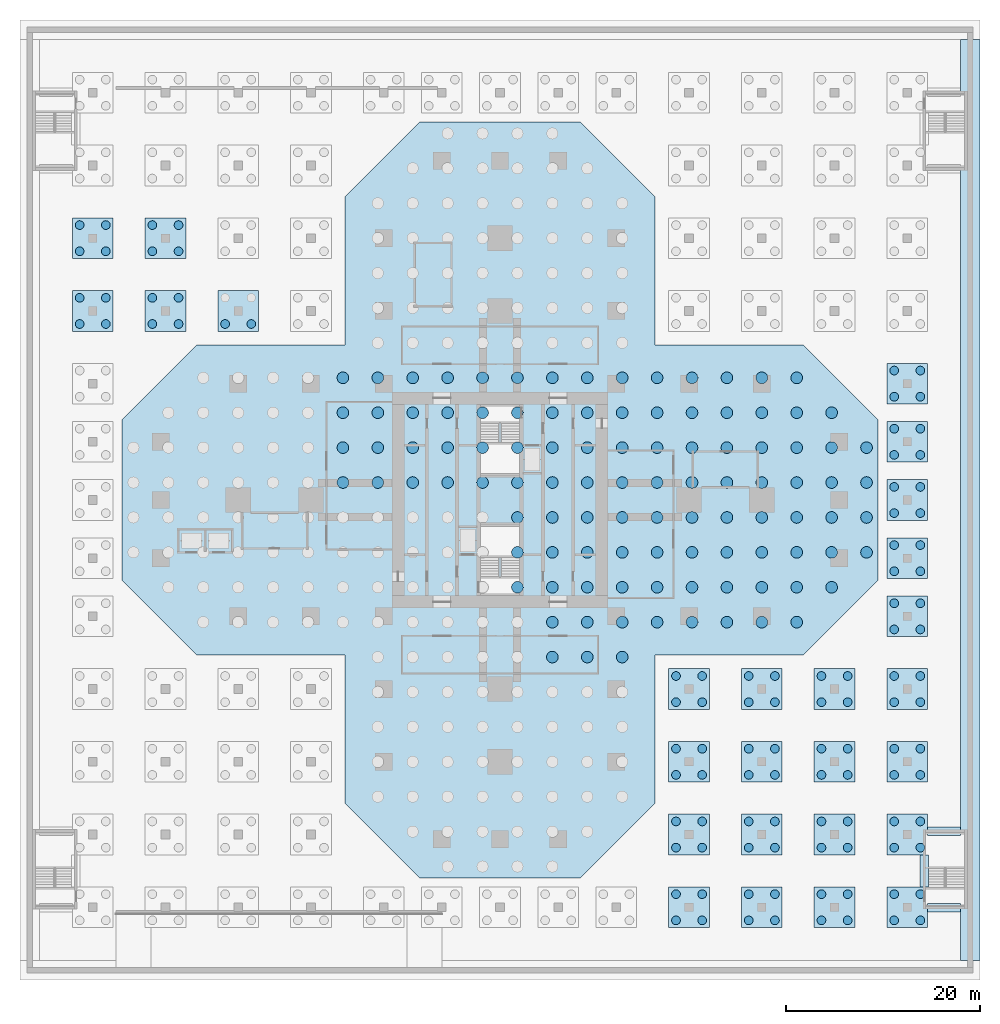
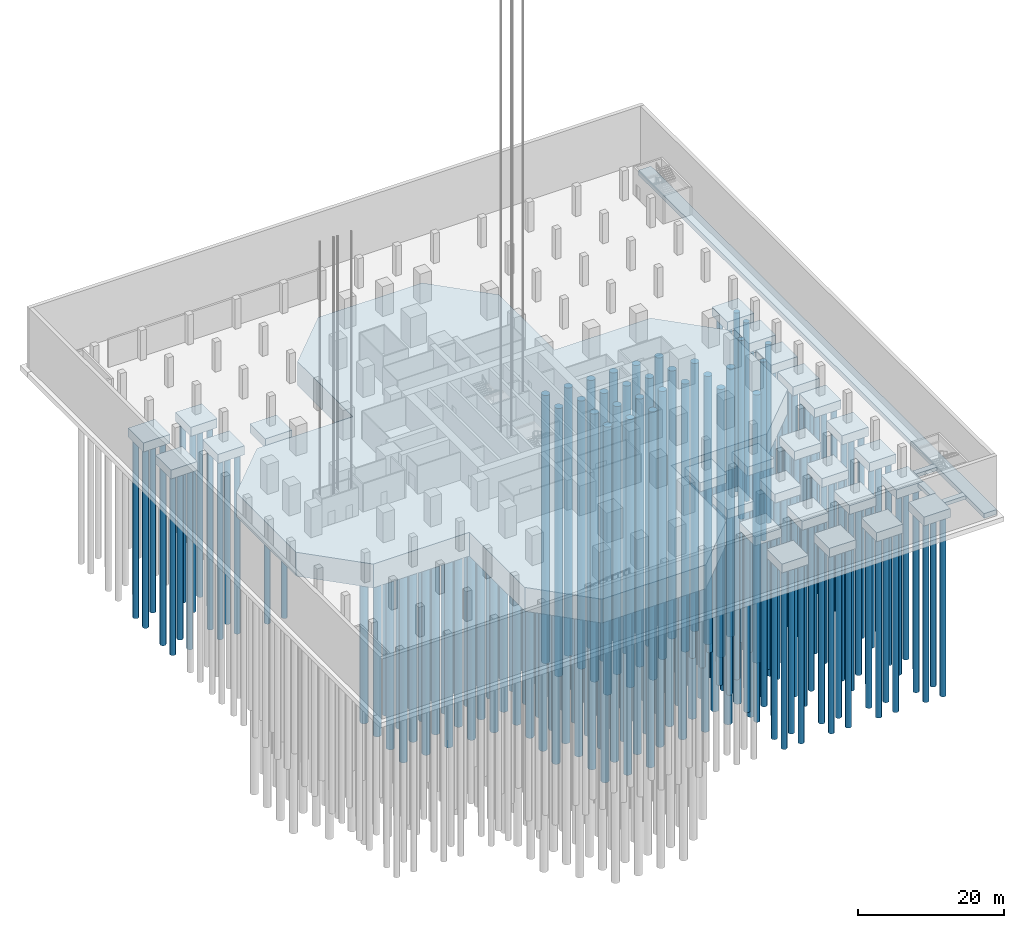
# One storey, part 2 of 31: 206 piles, 31 footings.
"""IFC4 building model written with IfcOpenShell, lengths in metres."""

from ifc_helpers import new_model, si_unit, direction, frame, origin, origin_2d, place, context, subcontext, project, spatial, polyline, rectangle, circle, outline, extrude, material, layer, layer_set, material_profile, profile_set, type_object, element, save


model = new_model("IFC4")

# Units and contexts
model_context = context("Model", 3, precision=1e-05, world=origin(), true_north=direction((0.0, 1.0)))
body_context = subcontext(model_context, "Body", "Model", "MODEL_VIEW")
ifc_project = project(units=[si_unit("LENGTHUNIT", "METRE"), si_unit("AREAUNIT", "SQUARE_METRE"), si_unit("VOLUMEUNIT", "CUBIC_METRE"), si_unit("PLANEANGLEUNIT", "RADIAN"), si_unit("MASSUNIT", "GRAM", prefix="KILO")], contexts=[model_context])

# Site, building, storey
site_placement = place(None, origin())
site = spatial("IfcSite", under=ifc_project, at=site_placement, CompositionType="ELEMENT")
building_placement = place(site_placement, origin())
building = spatial("IfcBuilding", under=site, at=building_placement, Name="Mizan Broadcast Tower", CompositionType="ELEMENT")
storey_placement = place(building_placement, frame((0.0, 0.0, -10.0)))
storey = spatial("IfcBuildingStorey", under=building, at=storey_placement, Name="B2", CompositionType="ELEMENT", Elevation=-10.0)

# Piles
ifc_material_1 = material(Name="Concrete C40/50", Category="concrete")
ifc_material_profile_1 = material_profile(ifc_material_1, circle(Radius=0.60009765625, at=origin_2d()), Name="D1200")
ifc_profile_set_1 = profile_set([ifc_material_profile_1], Name="Concrete C40/50")
pile_type_1 = type_object("IfcPileType", Name="BORED PILE D1200", PredefinedType="BORED", material=ifc_profile_set_1)
for number, where, z_axis, x_axis, name in (
    (1, (5.39990234375, -16.199951171875, -4.5), (0.0, 0.0, -1.0), (1.0, 0.0, 0.0), "Bored pile P1-048"),
    (2, (9.0, -16.199951171875, -4.5), (0.0, 0.0, -1.0), (1.0, 0.0, 0.0), "Bored pile P1-049"),
    (3, (12.60009765625, -16.199951171875, -4.5), (0.0, 0.0, -1.0), (1.0, 0.0, 0.0), "Bored pile P1-050"),
    (4, (5.39990234375, -12.60009765625, -4.5), (0.0, 0.0, -1.0), (1.0, 0.0, 0.0), "Bored pile P1-061"),
    (5, (9.0, -12.60009765625, -4.5), (0.0, 0.0, -1.0), (1.0, 0.0, 0.0), "Bored pile P1-062"),
    (6, (12.60009765625, -12.60009765625, -4.5), (0.0, 0.0, -1.0), (1.0, 0.0, 0.0), "Bored pile P1-063"),
    (7, (16.199951171875, -12.60009765625, -4.5), (0.0, 0.0, -1.0), (1.0, 0.0, 0.0), "Bored pile P1-064"),
    (8, (19.800048828125, -12.60009765625, -4.5), (0.0, 0.0, -1.0), (1.0, 0.0, 0.0), "Bored pile P1-065"),
    (9, (23.39990234375, -12.60009765625, -4.5), (0.0, 0.0, -1.0), (1.0, 0.0, 0.0), "Bored pile P1-066"),
    (10, (27.0, -12.60009765625, -4.5), (0.0, 0.0, -1.0), (1.0, 0.0, 0.0), "Bored pile P1-067"),
    (11, (30.60009765625, -12.60009765625, -4.5), (0.0, 0.0, -1.0), (1.0, 0.0, 0.0), "Bored pile P1-068"),
    (12, (1.800048828125, -9.0, -4.5), (0.0, 0.0, -1.0), (1.0, 0.0, 0.0), "Bored pile P1-079"),
    (13, (5.39990234375, -9.0, -4.5), (0.0, 0.0, -1.0), (1.0, 0.0, 0.0), "Bored pile P1-080"),
    (14, (9.0, -9.0, -4.5), (0.0, 0.0, -1.0), (1.0, 0.0, 0.0), "Bored pile P1-081"),
    (15, (12.60009765625, -9.0, -4.5), (0.0, 0.0, -1.0), (1.0, 0.0, 0.0), "Bored pile P1-082"),
    (16, (16.199951171875, -9.0, -4.5), (0.0, 0.0, -1.0), (1.0, 0.0, 0.0), "Bored pile P1-083"),
    (17, (19.800048828125, -9.0, -4.5), (0.0, 0.0, -1.0), (1.0, 0.0, 0.0), "Bored pile P1-084"),
    (18, (23.39990234375, -9.0, -4.5), (0.0, 0.0, -1.0), (1.0, 0.0, 0.0), "Bored pile P1-085"),
    (19, (27.0, -9.0, -4.5), (0.0, 0.0, -1.0), (1.0, 0.0, 0.0), "Bored pile P1-086"),
    (20, (30.60009765625, -9.0, -4.5), (0.0, 0.0, -1.0), (1.0, 0.0, 0.0), "Bored pile P1-087"),
    (21, (34.199951171875, -9.0, -4.5), (0.0, 0.0, -1.0), (1.0, 0.0, 0.0), "Bored pile P1-088"),
    (22, (1.800048828125, -5.39990234375, -4.5), (0.0, 0.0, -1.0), (1.0, 0.0, 0.0), "Bored pile P1-100"),
    (23, (5.39990234375, -5.39990234375, -4.5), (0.0, 0.0, -1.0), (1.0, 0.0, 0.0), "Bored pile P1-101"),
    (24, (9.0, -5.39990234375, -4.5), (0.0, 0.0, -1.0), (1.0, 0.0, 0.0), "Bored pile P1-102"),
    (25, (12.60009765625, -5.39990234375, -4.5), (0.0, 0.0, -1.0), (1.0, 0.0, 0.0), "Bored pile P1-103"),
    (26, (16.199951171875, -5.39990234375, -4.5), (0.0, 0.0, -1.0), (1.0, 0.0, 0.0), "Bored pile P1-104"),
    (27, (19.800048828125, -5.39990234375, -4.5), (0.0, 0.0, -1.0), (1.0, 0.0, 0.0), "Bored pile P1-105"),
    (28, (23.39990234375, -5.39990234375, -4.5), (0.0, 0.0, -1.0), (1.0, 0.0, 0.0), "Bored pile P1-106"),
    (29, (27.0, -5.39990234375, -4.5), (0.0, 0.0, -1.0), (1.0, 0.0, 0.0), "Bored pile P1-107"),
    (30, (30.60009765625, -5.39990234375, -4.5), (0.0, 0.0, -1.0), (1.0, 0.0, 0.0), "Bored pile P1-108"),
    (31, (34.199951171875, -5.39990234375, -4.5), (0.0, 0.0, -1.0), (1.0, 0.0, 0.0), "Bored pile P1-109"),
    (32, (37.800048828125, -5.39990234375, -4.5), (0.0, 0.0, -1.0), (1.0, 0.0, 0.0), "Bored pile P1-110"),
    (33, (1.800048828125, -1.800048828125, -4.5), (0.0, 0.0, -1.0), (1.0, 0.0, 0.0), "Bored pile P1-122"),
    (34, (5.39990234375, -1.800048828125, -4.5), (0.0, 0.0, -1.0), (1.0, 0.0, 0.0), "Bored pile P1-123"),
    (35, (9.0, -1.800048828125, -4.5), (0.0, 0.0, -1.0), (1.0, 0.0, 0.0), "Bored pile P1-124"),
    (36, (12.60009765625, -1.800048828125, -4.5), (0.0, 0.0, -1.0), (1.0, 0.0, 0.0), "Bored pile P1-125"),
    (37, (16.199951171875, -1.800048828125, -4.5), (0.0, 0.0, -1.0), (1.0, 0.0, 0.0), "Bored pile P1-126"),
    (38, (19.800048828125, -1.800048828125, -4.5), (0.0, 0.0, -1.0), (1.0, 0.0, 0.0), "Bored pile P1-127"),
    (39, (23.39990234375, -1.800048828125, -4.5), (0.0, 0.0, -1.0), (1.0, 0.0, 0.0), "Bored pile P1-128"),
    (40, (27.0, -1.800048828125, -4.5), (0.0, 0.0, -1.0), (1.0, 0.0, 0.0), "Bored pile P1-129"),
    (41, (30.60009765625, -1.800048828125, -4.5), (0.0, 0.0, -1.0), (1.0, 0.0, 0.0), "Bored pile P1-130"),
    (42, (34.199951171875, -1.800048828125, -4.5), (0.0, 0.0, -1.0), (1.0, 0.0, 0.0), "Bored pile P1-131"),
    (43, (37.800048828125, -1.800048828125, -4.5), (0.0, 0.0, -1.0), (1.0, 0.0, 0.0), "Bored pile P1-132"),
    (44, (-16.199951171875, 1.800048828125, -4.5), (0.0, 0.0, -1.0), (1.0, 0.0, 0.0), "Bored pile P1-139"),
    (45, (-12.60009765625, 1.800048828125, -4.5), (0.0, 0.0, -1.0), (1.0, 0.0, 0.0), "Bored pile P1-140"),
    (46, (-9.0, 1.800048828125, -4.5), (0.0, 0.0, -1.0), (1.0, 0.0, 0.0), "Bored pile P1-141"),
    (47, (-5.39990234375, 1.800048828125, -4.5), (0.0, 0.0, -1.0), (1.0, 0.0, 0.0), "Bored pile P1-142"),
    (48, (-1.800048828125, 1.800048828125, -4.5), (0.0, 0.0, -1.0), (1.0, 0.0, 0.0), "Bored pile P1-143"),
    (49, (1.800048828125, 1.800048828125, -4.5), (0.0, 0.0, -1.0), (1.0, 0.0, 0.0), "Bored pile P1-144"),
    (50, (5.39990234375, 1.800048828125, -4.5), (0.0, 0.0, -1.0), (1.0, 0.0, 0.0), "Bored pile P1-145"),
    (51, (9.0, 1.800048828125, -4.5), (0.0, 0.0, -1.0), (1.0, 0.0, 0.0), "Bored pile P1-146"),
    (52, (12.60009765625, 1.800048828125, -4.5), (0.0, 0.0, -1.0), (1.0, 0.0, 0.0), "Bored pile P1-147"),
    (53, (16.199951171875, 1.800048828125, -4.5), (0.0, 0.0, -1.0), (1.0, 0.0, 0.0), "Bored pile P1-148"),
    (54, (19.800048828125, 1.800048828125, -4.5), (0.0, 0.0, -1.0), (1.0, 0.0, 0.0), "Bored pile P1-149"),
    (55, (23.39990234375, 1.800048828125, -4.5), (0.0, 0.0, -1.0), (1.0, 0.0, 0.0), "Bored pile P1-150"),
    (56, (27.0, 1.800048828125, -4.5), (0.0, 0.0, -1.0), (1.0, 0.0, 0.0), "Bored pile P1-151"),
    (57, (30.60009765625, 1.800048828125, -4.5), (0.0, 0.0, -1.0), (1.0, 0.0, 0.0), "Bored pile P1-152"),
    (58, (34.199951171875, 1.800048828125, -4.5), (0.0, 0.0, -1.0), (1.0, 0.0, 0.0), "Bored pile P1-153"),
    (59, (37.800048828125, 1.800048828125, -4.5), (0.0, 0.0, -1.0), (1.0, 0.0, 0.0), "Bored pile P1-154"),
    (60, (-16.199951171875, 5.39990234375, -4.5), (0.0, 0.0, -1.0), (1.0, 0.0, 0.0), "Bored pile P1-161"),
    (61, (-12.60009765625, 5.39990234375, -4.5), (0.0, 0.0, -1.0), (1.0, 0.0, 0.0), "Bored pile P1-162"),
    (62, (-9.0, 5.39990234375, -4.5), (0.0, 0.0, -1.0), (1.0, 0.0, 0.0), "Bored pile P1-163"),
    (63, (-5.39990234375, 5.39990234375, -4.5), (0.0, 0.0, -1.0), (1.0, 0.0, 0.0), "Bored pile P1-164"),
    (64, (-1.800048828125, 5.39990234375, -4.5), (0.0, 0.0, -1.0), (1.0, 0.0, 0.0), "Bored pile P1-165"),
    (65, (1.800048828125, 5.39990234375, -4.5), (0.0, 0.0, -1.0), (1.0, 0.0, 0.0), "Bored pile P1-166"),
    (66, (5.39990234375, 5.39990234375, -4.5), (0.0, 0.0, -1.0), (1.0, 0.0, 0.0), "Bored pile P1-167"),
    (67, (9.0, 5.39990234375, -4.5), (0.0, 0.0, -1.0), (1.0, 0.0, 0.0), "Bored pile P1-168"),
    (68, (12.60009765625, 5.39990234375, -4.5), (0.0, 0.0, -1.0), (1.0, 0.0, 0.0), "Bored pile P1-169"),
    (69, (16.199951171875, 5.39990234375, -4.5), (0.0, 0.0, -1.0), (1.0, 0.0, 0.0), "Bored pile P1-170"),
    (70, (19.800048828125, 5.39990234375, -4.5), (0.0, 0.0, -1.0), (1.0, 0.0, 0.0), "Bored pile P1-171"),
    (71, (23.39990234375, 5.39990234375, -4.5), (0.0, 0.0, -1.0), (1.0, 0.0, 0.0), "Bored pile P1-172"),
    (72, (27.0, 5.39990234375, -4.5), (0.0, 0.0, -1.0), (1.0, 0.0, 0.0), "Bored pile P1-173"),
    (73, (30.60009765625, 5.39990234375, -4.5), (0.0, 0.0, -1.0), (1.0, 0.0, 0.0), "Bored pile P1-174"),
    (74, (34.199951171875, 5.39990234375, -4.5), (0.0, 0.0, -1.0), (1.0, 0.0, 0.0), "Bored pile P1-175"),
    (75, (37.800048828125, 5.39990234375, -4.5), (0.0, 0.0, -1.0), (1.0, 0.0, 0.0), "Bored pile P1-176"),
    (76, (-16.199951171875, 9.0, -4.5), (0.0, 0.0, -1.0), (1.0, 0.0, 0.0), "Bored pile P1-182"),
    (77, (-12.60009765625, 9.0, -4.5), (0.0, 0.0, -1.0), (1.0, 0.0, 0.0), "Bored pile P1-183"),
    (78, (-9.0, 9.0, -4.5), (0.0, 0.0, -1.0), (1.0, 0.0, 0.0), "Bored pile P1-184"),
    (79, (-5.39990234375, 9.0, -4.5), (0.0, 0.0, -1.0), (1.0, 0.0, 0.0), "Bored pile P1-185"),
    (80, (-1.800048828125, 9.0, -4.5), (0.0, 0.0, -1.0), (1.0, 0.0, 0.0), "Bored pile P1-186"),
    (81, (1.800048828125, 9.0, -4.5), (0.0, 0.0, -1.0), (1.0, 0.0, 0.0), "Bored pile P1-187"),
    (82, (5.39990234375, 9.0, -4.5), (0.0, 0.0, -1.0), (1.0, 0.0, 0.0), "Bored pile P1-188"),
    (83, (9.0, 9.0, -4.5), (0.0, 0.0, -1.0), (1.0, 0.0, 0.0), "Bored pile P1-189"),
    (84, (12.60009765625, 9.0, -4.5), (0.0, 0.0, -1.0), (1.0, 0.0, 0.0), "Bored pile P1-190"),
    (85, (16.199951171875, 9.0, -4.5), (0.0, 0.0, -1.0), (1.0, 0.0, 0.0), "Bored pile P1-191"),
    (86, (19.800048828125, 9.0, -4.5), (0.0, 0.0, -1.0), (1.0, 0.0, 0.0), "Bored pile P1-192"),
    (87, (23.39990234375, 9.0, -4.5), (0.0, 0.0, -1.0), (1.0, 0.0, 0.0), "Bored pile P1-193"),
    (88, (27.0, 9.0, -4.5), (0.0, 0.0, -1.0), (1.0, 0.0, 0.0), "Bored pile P1-194"),
    (89, (30.60009765625, 9.0, -4.5), (0.0, 0.0, -1.0), (1.0, 0.0, 0.0), "Bored pile P1-195"),
    (90, (34.199951171875, 9.0, -4.5), (0.0, 0.0, -1.0), (1.0, 0.0, 0.0), "Bored pile P1-196"),
    (91, (-16.199951171875, 12.60009765625, -4.5), (0.0, 0.0, -1.0), (1.0, 0.0, 0.0), "Bored pile P1-201"),
    (92, (-12.60009765625, 12.60009765625, -4.5), (0.0, 0.0, -1.0), (1.0, 0.0, 0.0), "Bored pile P1-202"),
    (93, (-9.0, 12.60009765625, -4.5), (0.0, 0.0, -1.0), (1.0, 0.0, 0.0), "Bored pile P1-203"),
    (94, (-5.39990234375, 12.60009765625, -4.5), (0.0, 0.0, -1.0), (1.0, 0.0, 0.0), "Bored pile P1-204"),
    (95, (-1.800048828125, 12.60009765625, -4.5), (0.0, 0.0, -1.0), (1.0, 0.0, 0.0), "Bored pile P1-205"),
    (96, (1.800048828125, 12.60009765625, -4.5), (0.0, 0.0, -1.0), (1.0, 0.0, 0.0), "Bored pile P1-206"),
    (97, (5.39990234375, 12.60009765625, -4.5), (0.0, 0.0, -1.0), (1.0, 0.0, 0.0), "Bored pile P1-207"),
    (98, (9.0, 12.60009765625, -4.5), (0.0, 0.0, -1.0), (1.0, 0.0, 0.0), "Bored pile P1-208"),
    (99, (12.60009765625, 12.60009765625, -4.5), (0.0, 0.0, -1.0), (1.0, 0.0, 0.0), "Bored pile P1-209"),
    (100, (16.199951171875, 12.60009765625, -4.5), (0.0, 0.0, -1.0), (1.0, 0.0, 0.0), "Bored pile P1-210"),
    (101, (19.800048828125, 12.60009765625, -4.5), (0.0, 0.0, -1.0), (1.0, 0.0, 0.0), "Bored pile P1-211"),
    (102, (23.39990234375, 12.60009765625, -4.5), (0.0, 0.0, -1.0), (1.0, 0.0, 0.0), "Bored pile P1-212"),
    (103, (27.0, 12.60009765625, -4.5), (0.0, 0.0, -1.0), (1.0, 0.0, 0.0), "Bored pile P1-213"),
    (104, (30.60009765625, 12.60009765625, -4.5), (0.0, 0.0, -1.0), (1.0, 0.0, 0.0), "Bored pile P1-214"),
):
    element("IfcPile", number, at=place(storey_placement, frame(where, z_axis=z_axis, x_axis=x_axis)), inside=storey, type_object=pile_type_1, Name=name, PredefinedType="BORED", context=body_context, shape_type="SweptSolid", body=[
        extrude(circle(Radius=0.60009765625, at=origin_2d()), origin(), (0.0, 0.0, 1.0), 45.0),
    ])
ifc_material_2 = material(Name="Concrete C40/50", Category="concrete")
ifc_material_profile_2 = material_profile(ifc_material_2, circle(Radius=0.449951171875, at=origin_2d()), Name="D900")
ifc_profile_set_2 = profile_set([ifc_material_profile_2], Name="Concrete C40/50")
pile_type_2 = type_object("IfcPileType", Name="BORED PILE D900", PredefinedType="BORED", material=ifc_profile_set_2)
for number, where, z_axis, x_axis, name in (
    (105, (18.14990234375, -43.35009765625, -2.0), (0.0, 0.0, -1.0), (1.0, 0.0, 0.0), "Bored pile P2 under cap at 19.5, -42"),
    (106, (20.85009765625, -43.35009765625, -2.0), (0.0, 0.0, -1.0), (1.0, 0.0, 0.0), "Bored pile P2 under cap at 19.5, -42"),
    (107, (20.85009765625, -40.64990234375, -2.0), (0.0, 0.0, -1.0), (1.0, 0.0, 0.0), "Bored pile P2 under cap at 19.5, -42"),
    (108, (18.14990234375, -40.64990234375, -2.0), (0.0, 0.0, -1.0), (1.0, 0.0, 0.0), "Bored pile P2 under cap at 19.5, -42"),
    (109, (25.64990234375, -43.35009765625, -2.0), (0.0, 0.0, -1.0), (1.0, 0.0, 0.0), "Bored pile P2 under cap at 27, -42"),
    (110, (28.35009765625, -43.35009765625, -2.0), (0.0, 0.0, -1.0), (1.0, 0.0, 0.0), "Bored pile P2 under cap at 27, -42"),
    (111, (28.35009765625, -40.64990234375, -2.0), (0.0, 0.0, -1.0), (1.0, 0.0, 0.0), "Bored pile P2 under cap at 27, -42"),
    (112, (25.64990234375, -40.64990234375, -2.0), (0.0, 0.0, -1.0), (1.0, 0.0, 0.0), "Bored pile P2 under cap at 27, -42"),
    (113, (33.14990234375, -43.35009765625, -2.0), (0.0, 0.0, -1.0), (1.0, 0.0, 0.0), "Bored pile P2 under cap at 34.5, -42"),
    (114, (35.85009765625, -43.35009765625, -2.0), (0.0, 0.0, -1.0), (1.0, 0.0, 0.0), "Bored pile P2 under cap at 34.5, -42"),
    (115, (35.85009765625, -40.64990234375, -2.0), (0.0, 0.0, -1.0), (1.0, 0.0, 0.0), "Bored pile P2 under cap at 34.5, -42"),
    (116, (33.14990234375, -40.64990234375, -2.0), (0.0, 0.0, -1.0), (1.0, 0.0, 0.0), "Bored pile P2 under cap at 34.5, -42"),
    (117, (40.64990234375, -43.35009765625, -2.0), (0.0, 0.0, -1.0), (1.0, 0.0, 0.0), "Bored pile P2 under cap at 42, -42"),
    (118, (43.35009765625, -43.35009765625, -2.0), (0.0, 0.0, -1.0), (1.0, 0.0, 0.0), "Bored pile P2 under cap at 42, -42"),
    (119, (43.35009765625, -40.64990234375, -2.0), (0.0, 0.0, -1.0), (1.0, 0.0, 0.0), "Bored pile P2 under cap at 42, -42"),
    (120, (40.64990234375, -40.64990234375, -2.0), (0.0, 0.0, -1.0), (1.0, 0.0, 0.0), "Bored pile P2 under cap at 42, -42"),
    (121, (18.14990234375, -35.85009765625, -2.0), (0.0, 0.0, -1.0), (1.0, 0.0, 0.0), "Bored pile P2 under cap at 19.5, -34.5"),
    (122, (20.85009765625, -35.85009765625, -2.0), (0.0, 0.0, -1.0), (1.0, 0.0, 0.0), "Bored pile P2 under cap at 19.5, -34.5"),
    (123, (20.85009765625, -33.14990234375, -2.0), (0.0, 0.0, -1.0), (1.0, 0.0, 0.0), "Bored pile P2 under cap at 19.5, -34.5"),
    (124, (18.14990234375, -33.14990234375, -2.0), (0.0, 0.0, -1.0), (1.0, 0.0, 0.0), "Bored pile P2 under cap at 19.5, -34.5"),
    (125, (25.64990234375, -35.85009765625, -2.0), (0.0, 0.0, -1.0), (1.0, 0.0, 0.0), "Bored pile P2 under cap at 27, -34.5"),
    (126, (28.35009765625, -35.85009765625, -2.0), (0.0, 0.0, -1.0), (1.0, 0.0, 0.0), "Bored pile P2 under cap at 27, -34.5"),
    (127, (28.35009765625, -33.14990234375, -2.0), (0.0, 0.0, -1.0), (1.0, 0.0, 0.0), "Bored pile P2 under cap at 27, -34.5"),
    (128, (25.64990234375, -33.14990234375, -2.0), (0.0, 0.0, -1.0), (1.0, 0.0, 0.0), "Bored pile P2 under cap at 27, -34.5"),
    (129, (33.14990234375, -35.85009765625, -2.0), (0.0, 0.0, -1.0), (1.0, 0.0, 0.0), "Bored pile P2 under cap at 34.5, -34.5"),
    (130, (35.85009765625, -35.85009765625, -2.0), (0.0, 0.0, -1.0), (1.0, 0.0, 0.0), "Bored pile P2 under cap at 34.5, -34.5"),
    (131, (35.85009765625, -33.14990234375, -2.0), (0.0, 0.0, -1.0), (1.0, 0.0, 0.0), "Bored pile P2 under cap at 34.5, -34.5"),
    (132, (33.14990234375, -33.14990234375, -2.0), (0.0, 0.0, -1.0), (1.0, 0.0, 0.0), "Bored pile P2 under cap at 34.5, -34.5"),
    (133, (40.64990234375, -35.85009765625, -2.0), (0.0, 0.0, -1.0), (1.0, 0.0, 0.0), "Bored pile P2 under cap at 42, -34.5"),
    (134, (43.35009765625, -35.85009765625, -2.0), (0.0, 0.0, -1.0), (1.0, 0.0, 0.0), "Bored pile P2 under cap at 42, -34.5"),
    (135, (43.35009765625, -33.14990234375, -2.0), (0.0, 0.0, -1.0), (1.0, 0.0, 0.0), "Bored pile P2 under cap at 42, -34.5"),
    (136, (40.64990234375, -33.14990234375, -2.0), (0.0, 0.0, -1.0), (1.0, 0.0, 0.0), "Bored pile P2 under cap at 42, -34.5"),
    (137, (18.14990234375, -28.35009765625, -2.0), (0.0, 0.0, -1.0), (1.0, 0.0, 0.0), "Bored pile P2 under cap at 19.5, -27"),
    (138, (20.85009765625, -28.35009765625, -2.0), (0.0, 0.0, -1.0), (1.0, 0.0, 0.0), "Bored pile P2 under cap at 19.5, -27"),
    (139, (20.85009765625, -25.64990234375, -2.0), (0.0, 0.0, -1.0), (1.0, 0.0, 0.0), "Bored pile P2 under cap at 19.5, -27"),
    (140, (18.14990234375, -25.64990234375, -2.0), (0.0, 0.0, -1.0), (1.0, 0.0, 0.0), "Bored pile P2 under cap at 19.5, -27"),
    (141, (25.64990234375, -28.35009765625, -2.0), (0.0, 0.0, -1.0), (1.0, 0.0, 0.0), "Bored pile P2 under cap at 27, -27"),
    (142, (28.35009765625, -28.35009765625, -2.0), (0.0, 0.0, -1.0), (1.0, 0.0, 0.0), "Bored pile P2 under cap at 27, -27"),
    (143, (28.35009765625, -25.64990234375, -2.0), (0.0, 0.0, -1.0), (1.0, 0.0, 0.0), "Bored pile P2 under cap at 27, -27"),
    (144, (25.64990234375, -25.64990234375, -2.0), (0.0, 0.0, -1.0), (1.0, 0.0, 0.0), "Bored pile P2 under cap at 27, -27"),
    (145, (33.14990234375, -28.35009765625, -2.0), (0.0, 0.0, -1.0), (1.0, 0.0, 0.0), "Bored pile P2 under cap at 34.5, -27"),
    (146, (35.85009765625, -28.35009765625, -2.0), (0.0, 0.0, -1.0), (1.0, 0.0, 0.0), "Bored pile P2 under cap at 34.5, -27"),
    (147, (35.85009765625, -25.64990234375, -2.0), (0.0, 0.0, -1.0), (1.0, 0.0, 0.0), "Bored pile P2 under cap at 34.5, -27"),
    (148, (33.14990234375, -25.64990234375, -2.0), (0.0, 0.0, -1.0), (1.0, 0.0, 0.0), "Bored pile P2 under cap at 34.5, -27"),
    (149, (40.64990234375, -28.35009765625, -2.0), (0.0, 0.0, -1.0), (1.0, 0.0, 0.0), "Bored pile P2 under cap at 42, -27"),
    (150, (43.35009765625, -28.35009765625, -2.0), (0.0, 0.0, -1.0), (1.0, 0.0, 0.0), "Bored pile P2 under cap at 42, -27"),
    (151, (43.35009765625, -25.64990234375, -2.0), (0.0, 0.0, -1.0), (1.0, 0.0, 0.0), "Bored pile P2 under cap at 42, -27"),
    (152, (40.64990234375, -25.64990234375, -2.0), (0.0, 0.0, -1.0), (1.0, 0.0, 0.0), "Bored pile P2 under cap at 42, -27"),
    (153, (18.14990234375, -20.85009765625, -2.0), (0.0, 0.0, -1.0), (1.0, 0.0, 0.0), "Bored pile P2 under cap at 19.5, -19.5"),
    (154, (20.85009765625, -20.85009765625, -2.0), (0.0, 0.0, -1.0), (1.0, 0.0, 0.0), "Bored pile P2 under cap at 19.5, -19.5"),
    (155, (20.85009765625, -18.14990234375, -2.0), (0.0, 0.0, -1.0), (1.0, 0.0, 0.0), "Bored pile P2 under cap at 19.5, -19.5"),
    (156, (18.14990234375, -18.14990234375, -2.0), (0.0, 0.0, -1.0), (1.0, 0.0, 0.0), "Bored pile P2 under cap at 19.5, -19.5"),
    (157, (25.64990234375, -20.85009765625, -2.0), (0.0, 0.0, -1.0), (1.0, 0.0, 0.0), "Bored pile P2 under cap at 27, -19.5"),
    (158, (28.35009765625, -20.85009765625, -2.0), (0.0, 0.0, -1.0), (1.0, 0.0, 0.0), "Bored pile P2 under cap at 27, -19.5"),
    (159, (28.35009765625, -18.14990234375, -2.0), (0.0, 0.0, -1.0), (1.0, 0.0, 0.0), "Bored pile P2 under cap at 27, -19.5"),
    (160, (25.64990234375, -18.14990234375, -2.0), (0.0, 0.0, -1.0), (1.0, 0.0, 0.0), "Bored pile P2 under cap at 27, -19.5"),
    (161, (33.14990234375, -20.85009765625, -2.0), (0.0, 0.0, -1.0), (1.0, 0.0, 0.0), "Bored pile P2 under cap at 34.5, -19.5"),
    (162, (35.85009765625, -20.85009765625, -2.0), (0.0, 0.0, -1.0), (1.0, 0.0, 0.0), "Bored pile P2 under cap at 34.5, -19.5"),
    (163, (35.85009765625, -18.14990234375, -2.0), (0.0, 0.0, -1.0), (1.0, 0.0, 0.0), "Bored pile P2 under cap at 34.5, -19.5"),
    (164, (33.14990234375, -18.14990234375, -2.0), (0.0, 0.0, -1.0), (1.0, 0.0, 0.0), "Bored pile P2 under cap at 34.5, -19.5"),
    (165, (40.64990234375, -20.85009765625, -2.0), (0.0, 0.0, -1.0), (1.0, 0.0, 0.0), "Bored pile P2 under cap at 42, -19.5"),
    (166, (43.35009765625, -20.85009765625, -2.0), (0.0, 0.0, -1.0), (1.0, 0.0, 0.0), "Bored pile P2 under cap at 42, -19.5"),
    (167, (43.35009765625, -18.14990234375, -2.0), (0.0, 0.0, -1.0), (1.0, 0.0, 0.0), "Bored pile P2 under cap at 42, -19.5"),
    (168, (40.64990234375, -18.14990234375, -2.0), (0.0, 0.0, -1.0), (1.0, 0.0, 0.0), "Bored pile P2 under cap at 42, -19.5"),
    (169, (40.64990234375, -13.35009765625, -2.0), (0.0, 0.0, -1.0), (1.0, 0.0, 0.0), "Bored pile P2 under cap at 42, -12"),
    (170, (43.35009765625, -13.35009765625, -2.0), (0.0, 0.0, -1.0), (1.0, 0.0, 0.0), "Bored pile P2 under cap at 42, -12"),
    (171, (43.35009765625, -10.64990234375, -2.0), (0.0, 0.0, -1.0), (1.0, 0.0, 0.0), "Bored pile P2 under cap at 42, -12"),
    (172, (40.64990234375, -10.64990234375, -2.0), (0.0, 0.0, -1.0), (1.0, 0.0, 0.0), "Bored pile P2 under cap at 42, -12"),
    (173, (40.64990234375, -7.35009765625, -2.0), (0.0, 0.0, -1.0), (1.0, 0.0, 0.0), "Bored pile P2 under cap at 42, -6"),
    (174, (43.35009765625, -7.35009765625, -2.0), (0.0, 0.0, -1.0), (1.0, 0.0, 0.0), "Bored pile P2 under cap at 42, -6"),
    (175, (43.35009765625, -4.64990234375, -2.0), (0.0, 0.0, -1.0), (1.0, 0.0, 0.0), "Bored pile P2 under cap at 42, -6"),
    (176, (40.64990234375, -4.64990234375, -2.0), (0.0, 0.0, -1.0), (1.0, 0.0, 0.0), "Bored pile P2 under cap at 42, -6"),
    (177, (40.64990234375, -1.35009765625, -2.0), (0.0, 0.0, -1.0), (1.0, 0.0, 0.0), "Bored pile P2 under cap at 42, 0"),
    (178, (43.35009765625, -1.35009765625, -2.0), (0.0, 0.0, -1.0), (1.0, 0.0, 0.0), "Bored pile P2 under cap at 42, 0"),
    (179, (43.35009765625, 1.35009765625, -2.0), (0.0, 0.0, -1.0), (1.0, 0.0, 0.0), "Bored pile P2 under cap at 42, 0"),
    (180, (40.64990234375, 1.35009765625, -2.0), (0.0, 0.0, -1.0), (1.0, 0.0, 0.0), "Bored pile P2 under cap at 42, 0"),
    (181, (40.64990234375, 4.64990234375, -2.0), (0.0, 0.0, -1.0), (1.0, 0.0, 0.0), "Bored pile P2 under cap at 42, 6"),
    (182, (43.35009765625, 4.64990234375, -2.0), (0.0, 0.0, -1.0), (1.0, 0.0, 0.0), "Bored pile P2 under cap at 42, 6"),
    (183, (43.35009765625, 7.35009765625, -2.0), (0.0, 0.0, -1.0), (1.0, 0.0, 0.0), "Bored pile P2 under cap at 42, 6"),
    (184, (40.64990234375, 7.35009765625, -2.0), (0.0, 0.0, -1.0), (1.0, 0.0, 0.0), "Bored pile P2 under cap at 42, 6"),
    (185, (40.64990234375, 10.64990234375, -2.0), (0.0, 0.0, -1.0), (1.0, 0.0, 0.0), "Bored pile P2 under cap at 42, 12"),
    (186, (43.35009765625, 10.64990234375, -2.0), (0.0, 0.0, -1.0), (1.0, 0.0, 0.0), "Bored pile P2 under cap at 42, 12"),
    (187, (43.35009765625, 13.35009765625, -2.0), (0.0, 0.0, -1.0), (1.0, 0.0, 0.0), "Bored pile P2 under cap at 42, 12"),
    (188, (40.64990234375, 13.35009765625, -2.0), (0.0, 0.0, -1.0), (1.0, 0.0, 0.0), "Bored pile P2 under cap at 42, 12"),
    (189, (-43.35009765625, 18.14990234375, -2.0), (0.0, 0.0, -1.0), (1.0, 0.0, 0.0), "Bored pile P2 under cap at -42, 19.5"),
    (190, (-40.64990234375, 18.14990234375, -2.0), (0.0, 0.0, -1.0), (1.0, 0.0, 0.0), "Bored pile P2 under cap at -42, 19.5"),
    (191, (-40.64990234375, 20.85009765625, -2.0), (0.0, 0.0, -1.0), (1.0, 0.0, 0.0), "Bored pile P2 under cap at -42, 19.5"),
    (192, (-43.35009765625, 20.85009765625, -2.0), (0.0, 0.0, -1.0), (1.0, 0.0, 0.0), "Bored pile P2 under cap at -42, 19.5"),
    (193, (-35.85009765625, 18.14990234375, -2.0), (0.0, 0.0, -1.0), (1.0, 0.0, 0.0), "Bored pile P2 under cap at -34.5, 19.5"),
    (194, (-33.14990234375, 18.14990234375, -2.0), (0.0, 0.0, -1.0), (1.0, 0.0, 0.0), "Bored pile P2 under cap at -34.5, 19.5"),
    (195, (-33.14990234375, 20.85009765625, -2.0), (0.0, 0.0, -1.0), (1.0, 0.0, 0.0), "Bored pile P2 under cap at -34.5, 19.5"),
    (196, (-35.85009765625, 20.85009765625, -2.0), (0.0, 0.0, -1.0), (1.0, 0.0, 0.0), "Bored pile P2 under cap at -34.5, 19.5"),
    (197, (-28.35009765625, 18.14990234375, -2.0), (0.0, 0.0, -1.0), (1.0, 0.0, 0.0), "Bored pile P2 under cap at -27, 19.5"),
    (198, (-25.64990234375, 18.14990234375, -2.0), (0.0, 0.0, -1.0), (1.0, 0.0, 0.0), "Bored pile P2 under cap at -27, 19.5"),
    (199, (-43.35009765625, 25.64990234375, -2.0), (0.0, 0.0, -1.0), (1.0, 0.0, 0.0), "Bored pile P2 under cap at -42, 27"),
    (200, (-40.64990234375, 25.64990234375, -2.0), (0.0, 0.0, -1.0), (1.0, 0.0, 0.0), "Bored pile P2 under cap at -42, 27"),
    (201, (-40.64990234375, 28.35009765625, -2.0), (0.0, 0.0, -1.0), (1.0, 0.0, 0.0), "Bored pile P2 under cap at -42, 27"),
    (202, (-43.35009765625, 28.35009765625, -2.0), (0.0, 0.0, -1.0), (1.0, 0.0, 0.0), "Bored pile P2 under cap at -42, 27"),
    (203, (-35.85009765625, 25.64990234375, -2.0), (0.0, 0.0, -1.0), (1.0, 0.0, 0.0), "Bored pile P2 under cap at -34.5, 27"),
    (204, (-33.14990234375, 25.64990234375, -2.0), (0.0, 0.0, -1.0), (1.0, 0.0, 0.0), "Bored pile P2 under cap at -34.5, 27"),
    (205, (-33.14990234375, 28.35009765625, -2.0), (0.0, 0.0, -1.0), (1.0, 0.0, 0.0), "Bored pile P2 under cap at -34.5, 27"),
    (206, (-35.85009765625, 28.35009765625, -2.0), (0.0, 0.0, -1.0), (1.0, 0.0, 0.0), "Bored pile P2 under cap at -34.5, 27"),
):
    element("IfcPile", number, at=place(storey_placement, frame(where, z_axis=z_axis, x_axis=x_axis)), inside=storey, type_object=pile_type_2, Name=name, PredefinedType="BORED", context=body_context, shape_type="SweptSolid", body=[
        extrude(circle(Radius=0.449951171875, at=origin_2d()), origin(), (0.0, 0.0, 1.0), 30.0),
    ])

# Footings
ifc_material_3 = material(Name="Concrete C40/50", Category="concrete")
ifc_layer_1 = layer(ifc_material_3, 1.5)
ifc_layer_set_1 = layer_set([ifc_layer_1], Name="Concrete C40/50")
footing_type_1 = type_object("IfcFootingType", Name="PILE CAP PC4 4200x4200", PredefinedType="PILE_CAP", material=ifc_layer_set_1)
for number, where, z_axis, x_axis, name in (
    (207, (19.5, -42.0, -2.0), (0.0, 0.0, 1.0), (1.0, 0.0, 0.0), "Pile cap PC4 at 19.5, -42"),
    (208, (27.0, -42.0, -2.0), (0.0, 0.0, 1.0), (1.0, 0.0, 0.0), "Pile cap PC4 at 27, -42"),
    (209, (34.5, -42.0, -2.0), (0.0, 0.0, 1.0), (1.0, 0.0, 0.0), "Pile cap PC4 at 34.5, -42"),
    (210, (42.0, -42.0, -2.0), (0.0, 0.0, 1.0), (1.0, 0.0, 0.0), "Pile cap PC4 at 42, -42"),
    (211, (19.5, -34.5, -2.0), (0.0, 0.0, 1.0), (1.0, 0.0, 0.0), "Pile cap PC4 at 19.5, -34.5"),
    (212, (27.0, -34.5, -2.0), (0.0, 0.0, 1.0), (1.0, 0.0, 0.0), "Pile cap PC4 at 27, -34.5"),
    (213, (34.5, -34.5, -2.0), (0.0, 0.0, 1.0), (1.0, 0.0, 0.0), "Pile cap PC4 at 34.5, -34.5"),
    (214, (42.0, -34.5, -2.0), (0.0, 0.0, 1.0), (1.0, 0.0, 0.0), "Pile cap PC4 at 42, -34.5"),
    (215, (19.5, -27.0, -2.0), (0.0, 0.0, 1.0), (1.0, 0.0, 0.0), "Pile cap PC4 at 19.5, -27"),
    (216, (27.0, -27.0, -2.0), (0.0, 0.0, 1.0), (1.0, 0.0, 0.0), "Pile cap PC4 at 27, -27"),
    (217, (34.5, -27.0, -2.0), (0.0, 0.0, 1.0), (1.0, 0.0, 0.0), "Pile cap PC4 at 34.5, -27"),
    (218, (42.0, -27.0, -2.0), (0.0, 0.0, 1.0), (1.0, 0.0, 0.0), "Pile cap PC4 at 42, -27"),
    (219, (19.5, -19.5, -2.0), (0.0, 0.0, 1.0), (1.0, 0.0, 0.0), "Pile cap PC4 at 19.5, -19.5"),
    (220, (27.0, -19.5, -2.0), (0.0, 0.0, 1.0), (1.0, 0.0, 0.0), "Pile cap PC4 at 27, -19.5"),
    (221, (34.5, -19.5, -2.0), (0.0, 0.0, 1.0), (1.0, 0.0, 0.0), "Pile cap PC4 at 34.5, -19.5"),
    (222, (42.0, -19.5, -2.0), (0.0, 0.0, 1.0), (1.0, 0.0, 0.0), "Pile cap PC4 at 42, -19.5"),
    (223, (42.0, -12.0, -2.0), (0.0, 0.0, 1.0), (1.0, 0.0, 0.0), "Pile cap PC4 at 42, -12"),
    (224, (42.0, -6.0, -2.0), (0.0, 0.0, 1.0), (1.0, 0.0, 0.0), "Pile cap PC4 at 42, -6"),
    (225, (42.0, 0.0, -2.0), (0.0, 0.0, 1.0), (1.0, 0.0, 0.0), "Pile cap PC4 at 42, 0"),
    (226, (42.0, 6.0, -2.0), (0.0, 0.0, 1.0), (1.0, 0.0, 0.0), "Pile cap PC4 at 42, 6"),
    (227, (42.0, 12.0, -2.0), (0.0, 0.0, 1.0), (1.0, 0.0, 0.0), "Pile cap PC4 at 42, 12"),
    (228, (-42.0, 19.5, -2.0), (0.0, 0.0, 1.0), (1.0, 0.0, 0.0), "Pile cap PC4 at -42, 19.5"),
    (229, (-34.5, 19.5, -2.0), (0.0, 0.0, 1.0), (1.0, 0.0, 0.0), "Pile cap PC4 at -34.5, 19.5"),
    (230, (-27.0, 19.5, -2.0), (0.0, 0.0, 1.0), (1.0, 0.0, 0.0), "Pile cap PC4 at -27, 19.5"),
    (231, (-42.0, 27.0, -2.0), (0.0, 0.0, 1.0), (1.0, 0.0, 0.0), "Pile cap PC4 at -42, 27"),
    (232, (-34.5, 27.0, -2.0), (0.0, 0.0, 1.0), (1.0, 0.0, 0.0), "Pile cap PC4 at -34.5, 27"),
):
    element("IfcFooting", number, at=place(storey_placement, frame(where, z_axis=z_axis, x_axis=x_axis)), inside=storey, type_object=footing_type_1, Name=name, PredefinedType="PILE_CAP", context=body_context, shape_type="SweptSolid", body=[
        extrude(rectangle(XDim=4.199951171875, YDim=4.199951171875, at=origin_2d()), origin(), (0.0, 0.0, 1.0), 1.5),
    ])
ifc_material_4 = material(Name="Concrete C50/60", Category="concrete")
ifc_layer_2 = layer(ifc_material_4, 4.0)
ifc_layer_set_2 = layer_set([ifc_layer_2], Name="Concrete C50/60")
footing_type_2 = type_object("IfcFootingType", Name="PILED RAFT 4000", PredefinedType="PILE_CAP", material=ifc_layer_set_2)
footing_1_placement = place(storey_placement, frame((0.0, 0.0, -4.5)))
element("IfcFooting", 233, at=footing_1_placement, inside=storey, type_object=footing_type_2, Name="Piled raft RF1", PredefinedType="PILE_CAP", context=body_context, shape_type="SweptSolid", body=[
    extrude(outline(polyline([(16.0, -16.0), (31.24267578125, -16.0), (39.0, -8.24267578125), (39.0, 8.24267578125), (31.24267578125, 16.0), (16.0, 16.0), (16.0, 31.24267578125), (8.24267578125, 39.0), (-8.24267578125, 39.0), (-16.0, 31.24267578125), (-16.0, 16.0), (-31.24267578125, 16.0), (-39.0, 8.24267578125), (-39.0, -8.24267578125), (-31.24267578125, -16.0), (-16.0, -16.0), (-16.0, -31.24267578125), (-8.24267578125, -39.0), (8.24267578125, -39.0), (16.0, -31.24267578125), (16.0, -16.0)])), origin(), (0.0, 0.0, 1.0), 4.0),
])
ifc_material_5 = material(Name="Concrete C40/50", Category="concrete")
ifc_layer_3 = layer(ifc_material_5, 0.800048828125)
ifc_layer_set_3 = layer_set([ifc_layer_3], Name="Concrete C40/50")
footing_type_3 = type_object("IfcFootingType", Name="STRIP FOOTING SF1 2000x800", PredefinedType="STRIP_FOOTING", material=ifc_layer_set_3)
footing_2_placement = place(storey_placement, frame((48.5, 0.0, -1.2998046875), z_axis=(0.0, 0.0, 1.0), x_axis=(1.0, 0.0, 0.0)))
element("IfcFooting", 234, at=footing_2_placement, inside=storey, type_object=footing_type_3, Name="Strip footing SF1 E", PredefinedType="STRIP_FOOTING", context=body_context, shape_type="SweptSolid", body=[
    extrude(rectangle(XDim=2.0, YDim=95.0, at=origin_2d()), origin(), (0.0, 0.0, 1.0), 0.800048828125),
])
ifc_material_6 = material(Name="Concrete C40/50", Category="concrete")
ifc_layer_4 = layer(ifc_material_6, 0.60009765625)
ifc_layer_set_4 = layer_set([ifc_layer_4], Name="Concrete C40/50")
footing_type_4 = type_object("IfcFootingType", Name="STRIP FOOTING SF2 900x600", PredefinedType="STRIP_FOOTING", material=ifc_layer_set_4)
footing_3_placement = place(storey_placement, frame((43.75, -38.25, -1.10009765625), z_axis=(0.0, 0.0, 1.0), x_axis=(1.0, 0.0, 0.0)))
element("IfcFooting", 235, at=footing_3_placement, inside=storey, type_object=footing_type_4, Name="Strip footing SF2 stair H I", PredefinedType="STRIP_FOOTING", context=body_context, shape_type="SweptSolid", body=[
    extrude(rectangle(XDim=0.89990234375, YDim=3.300048828125, at=origin_2d()), origin(), (0.0, 0.0, 1.0), 0.60009765625),
])
for number, where, z_axis, x_axis, name in (
    (236, (45.800048828125, -42.050048828125, -1.10009765625), (0.0, 0.0, 1.0), (1.0, 0.0, 0.0), "Strip footing SF2 stair H D"),
    (237, (45.800048828125, -34.14990234375, -1.10009765625), (0.0, 0.0, 1.0), (1.0, 0.0, 0.0), "Strip footing SF2 stair H F"),
):
    element("IfcFooting", number, at=place(storey_placement, frame(where, z_axis=z_axis, x_axis=x_axis)), inside=storey, type_object=footing_type_4, Name=name, PredefinedType="STRIP_FOOTING", context=body_context, shape_type="SweptSolid", body=[
        extrude(rectangle(XDim=3.39990234375, YDim=0.89990234375, at=origin_2d()), origin(), (0.0, 0.0, 1.0), 0.60009765625),
    ])

save(model, "model.ifc")
